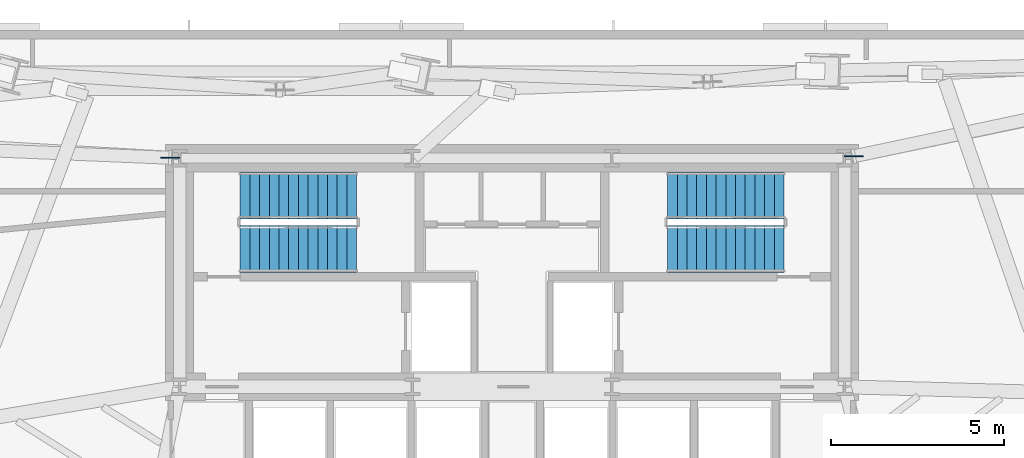
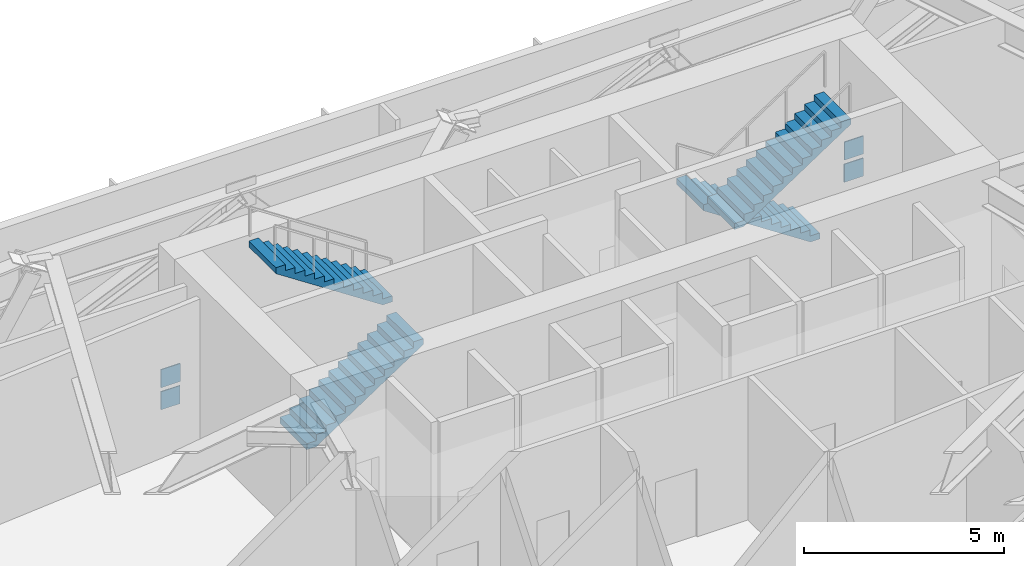
# One storey, part 8 of 11: 4 discrete accessories, 4 stair flights, 2 elements without a shape of their own.
"""IFC4 building model written with IfcOpenShell, lengths in metres."""

from ifc_helpers import new_model, si_unit, direction, frame, origin, origin_2d, place, context, subcontext, project, spatial, polyline, rectangle, outline, extrude, source, transform, mapped, material, type_object, type_shapes, element, aggregate, save


model = new_model("IFC4")

# Units and contexts
model_context = context("Model", 3, precision=1e-05, world=origin(), true_north=direction((0.0, 1.0)))
body_context = subcontext(model_context, "Body", "Model", "MODEL_VIEW")
ifc_project = project(units=[si_unit("LENGTHUNIT", "METRE"), si_unit("AREAUNIT", "SQUARE_METRE"), si_unit("VOLUMEUNIT", "CUBIC_METRE"), si_unit("PLANEANGLEUNIT", "RADIAN"), si_unit("MASSUNIT", "GRAM", prefix="KILO")], contexts=[model_context])

# Site, building, storey
site_placement = place(None, origin())
site = spatial("IfcSite", under=ifc_project, at=site_placement, CompositionType="ELEMENT")
building_placement = place(site_placement, origin())
building = spatial("IfcBuilding", under=site, at=building_placement, Name="Astriad Promenade Condominiums", CompositionType="ELEMENT")
storey_placement = place(building_placement, frame((0.0, 0.0, 67.800048828125)))
storey = spatial("IfcBuildingStorey", under=building, at=storey_placement, Name="L19", CompositionType="ELEMENT", Elevation=67.800048828125)

# Stair, stair flights
ifc_material_1 = material(Name="Concrete C50/60", Category="concrete")
stair_type = type_object("IfcStairType", Name="STR-CORE-1350", PredefinedType="HALF_TURN_STAIR", material=ifc_material_1)
stair_1_placement = place(storey_placement, origin())
stair_1 = element("IfcStair", 1, at=stair_1_placement, inside=storey, type_object=stair_type, Name="L19 Enclosed Core Exit Stair ST-1", PredefinedType="HALF_TURN_STAIR")
stair_flight_type = type_object("IfcStairFlightType", Name="SFL-CORE-1350", PredefinedType="STRAIGHT", material=ifc_material_1)
shared_shape_1 = source(origin(), body_context, "Body", "SweptSolid", [
    extrude(outline(polyline([(0.0, 0.0), (0.0, 0.1845703125), (0.280029296875, 0.1845703125), (0.280029296875, 0.369140625), (0.56005859375, 0.369140625), (0.56005859375, 0.553955078125), (0.840087890625, 0.553955078125), (0.840087890625, 0.738525390625), (1.1201171875, 0.738525390625), (1.1201171875, 0.923095703125), (1.39990234375, 0.923095703125), (1.39990234375, 1.107666015625), (1.679931640625, 1.107666015625), (1.679931640625, 1.292236328125), (1.9599609375, 1.292236328125), (1.9599609375, 1.476806640625), (2.239990234375, 1.476806640625), (2.239990234375, 1.66162109375), (2.52001953125, 1.66162109375), (2.52001953125, 1.84619140625), (2.800048828125, 1.84619140625), (2.800048828125, 2.03076171875), (3.080078125, 2.03076171875), (3.080078125, 2.21533203125), (3.360107421875, 2.21533203125), (3.360107421875, 2.39990234375), (3.360107421875, 2.035888671875), (0.272216796875, 0.0), (0.0, 0.0)])), frame((0.0, 0.675048828125, 0.0), z_axis=(0.0, -1.0, 0.0), x_axis=(1.0, 0.0, 0.0)), (0.0, 0.0, 1.0), 1.35009765625),
])
type_shapes(stair_flight_type, [shared_shape_1])
stair_flight_1_placement = place(storey_placement, frame((28.14990234375, 21.375, 0.0), z_axis=(0.0, 0.0, 1.0), x_axis=(1.0, 0.0, 0.0)))
stair_flight_1 = element("IfcStairFlight", 2, at=stair_flight_1_placement, type_object=stair_flight_type, Name="ST-1 flight 1", NumberOfRisers=13, NumberOfTreads=12, PredefinedType="STRAIGHT", RiserHeight=0.184615385, TreadLength=0.28, context=body_context, shape_type="MappedRepresentation", body=[
    mapped(shared_shape_1, transform((0.0, 0.0, 0.0), scale=1.0)),
])
stair_flight_2_placement = place(storey_placement, frame((31.510009765625, 22.925048828125, 2.39990234375), z_axis=(0.0, 0.0, 1.0), x_axis=(-1.0, 0.0, 0.0)))
stair_flight_2 = element("IfcStairFlight", 3, at=stair_flight_2_placement, type_object=stair_flight_type, Name="ST-1 flight 2", NumberOfRisers=13, NumberOfTreads=12, PredefinedType="STRAIGHT", RiserHeight=0.184615385, TreadLength=0.28, context=body_context, shape_type="MappedRepresentation", body=[
    mapped(shared_shape_1, transform((0.0, 0.0, 0.0), scale=1.0)),
])
aggregate(stair_1, [stair_flight_1, stair_flight_2])

stair_2_placement = place(storey_placement, origin())
stair_2 = element("IfcStair", 4, at=stair_2_placement, inside=storey, type_object=stair_type, Name="L19 Enclosed Core Exit Stair ST-2", PredefinedType="HALF_TURN_STAIR")
stair_flight_3_placement = place(storey_placement, frame((43.85009765625, 22.925048828125, 0.0), z_axis=(0.0, 0.0, 1.0), x_axis=(-1.0, 0.0, 0.0)))
stair_flight_3 = element("IfcStairFlight", 5, at=stair_flight_3_placement, type_object=stair_flight_type, Name="ST-2 flight 1", NumberOfRisers=13, NumberOfTreads=12, PredefinedType="STRAIGHT", RiserHeight=0.184615385, TreadLength=0.28, context=body_context, shape_type="MappedRepresentation", body=[
    mapped(shared_shape_1, transform((0.0, 0.0, 0.0), scale=1.0)),
])
stair_flight_4_placement = place(storey_placement, frame((40.489990234375, 21.375, 2.39990234375), z_axis=(0.0, 0.0, 1.0), x_axis=(1.0, 0.0, 0.0)))
stair_flight_4 = element("IfcStairFlight", 6, at=stair_flight_4_placement, type_object=stair_flight_type, Name="ST-2 flight 2", NumberOfRisers=13, NumberOfTreads=12, PredefinedType="STRAIGHT", RiserHeight=0.184615385, TreadLength=0.28, context=body_context, shape_type="MappedRepresentation", body=[
    mapped(shared_shape_1, transform((0.0, 0.0, 0.0), scale=1.0)),
])
aggregate(stair_2, [stair_flight_3, stair_flight_4])

# Discrete accessories
ifc_material_2 = material(Name="Steel ASTM A572 Grade 50", Category="steel")
discrete_accessory_type = type_object("IfcDiscreteAccessoryType", Name="CAST IN CORE WALL EMBED PLATE 30", PredefinedType="USERDEFINED", material=ifc_material_2)
shared_shape_2 = source(origin(), body_context, "Body", "SweptSolid", [
    extrude(rectangle(XDim=0.550048828125, YDim=0.030029296875, at=origin_2d()), origin(), (0.0, 0.0, 1.0), 0.550048828125),
])
type_shapes(discrete_accessory_type, [shared_shape_2])
for number, where, z_axis, x_axis, name in (
    (7, (26.12646484375, 24.015625, 0.0224609375), (0.0, 0.0, 1.0), (1.0, 0.0, 0.0), "Cast-In Core Wall Embed Plate EP-OUT-L19-01A"),
    (8, (26.1259765625, 24.011474609375, 0.701171875), (0.0, 0.0, 1.0), (1.0, 0.0, 0.0), "Cast-In Core Wall Embed Plate EP-OUT-L19-01B"),
    (9, (45.86669921875, 24.056396484375, 0.02880859375), (0.0, 0.0, 1.0), (1.0, 0.0, 0.0), "Cast-In Core Wall Embed Plate EP-OUT-L19-02A"),
    (10, (45.867919921875, 24.055908203125, 0.70458984375), (0.0, 0.0, 1.0), (1.0, 0.0, 0.0), "Cast-In Core Wall Embed Plate EP-OUT-L19-02B"),
):
    element("IfcDiscreteAccessory", number, at=place(storey_placement, frame(where, z_axis=z_axis, x_axis=x_axis)), inside=storey, type_object=discrete_accessory_type, Name=name, ObjectType="EMBED_PLATE", PredefinedType="USERDEFINED", context=body_context, shape_type="MappedRepresentation", body=[
        mapped(shared_shape_2, transform((0.0, 0.0, 0.0), scale=1.0)),
    ])

save(model, "model.ifc")
